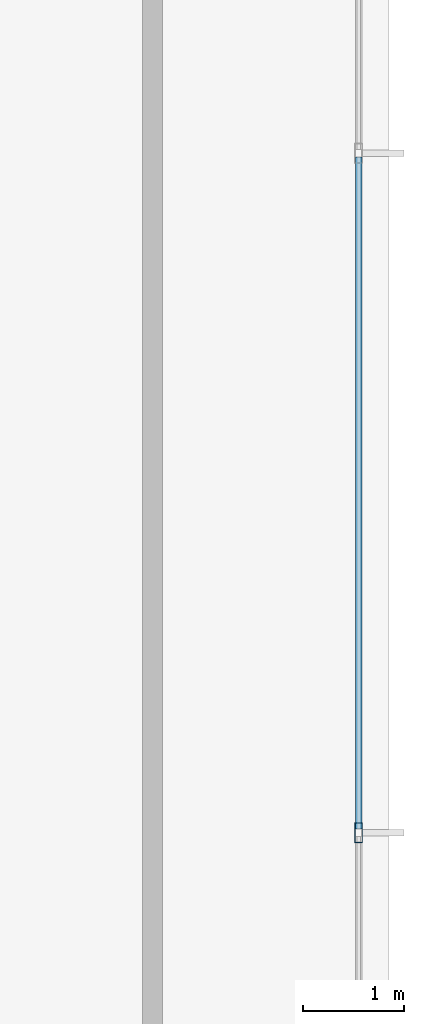
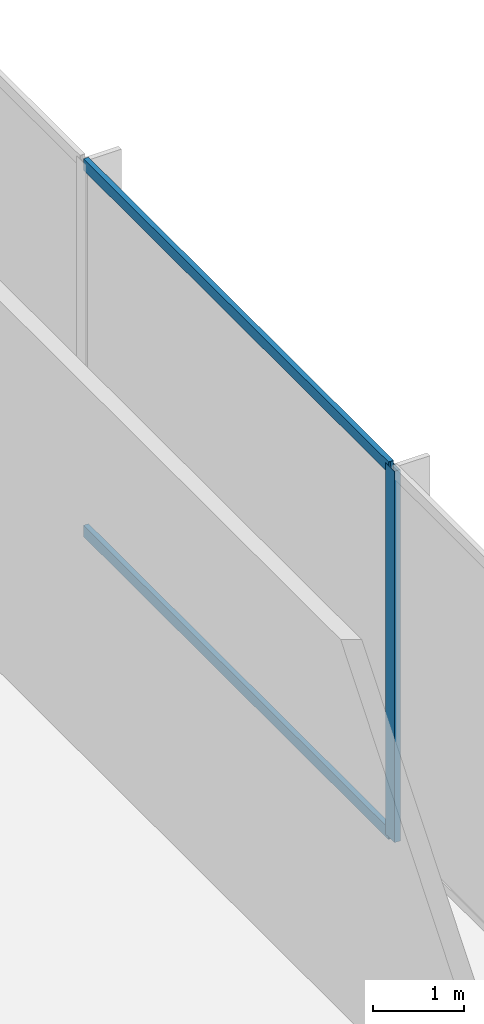
# One storey, part 19 of 43: 3 members, 1 element without a shape of its own.
"""IFC4 building model written with IfcOpenShell, lengths in metres."""

from ifc_helpers import new_model, si_unit, direction, frame, origin, origin_2d, place, context, subcontext, project, spatial, hollow_rectangle, extrude, material, layer, layer_set, material_profile, profile_set, type_object, element, aggregate, save


model = new_model("IFC4")

# Units and contexts
model_context = context("Model", 3, precision=1e-05, world=origin(), true_north=direction((0.0, 1.0)))
body_context = subcontext(model_context, "Body", "Model", "MODEL_VIEW")
ifc_project = project(units=[si_unit("LENGTHUNIT", "METRE"), si_unit("AREAUNIT", "SQUARE_METRE"), si_unit("VOLUMEUNIT", "CUBIC_METRE"), si_unit("PLANEANGLEUNIT", "RADIAN"), si_unit("MASSUNIT", "GRAM", prefix="KILO")], contexts=[model_context])

# Site, building, storey
site_placement = place(None, origin())
site = spatial("IfcSite", under=ifc_project, at=site_placement, CompositionType="ELEMENT")
building_placement = place(site_placement, origin())
building = spatial("IfcBuilding", under=site, at=building_placement, Name="Orvanel Arch Residences", CompositionType="ELEMENT")
storey_placement = place(building_placement, frame((0.0, 0.0, 18.39990234375)))
storey = spatial("IfcBuildingStorey", under=building, at=storey_placement, Name="L04", CompositionType="ELEMENT", Elevation=18.39990234375)

# Curtain wall, members
ifc_material = material(Name="Bronze-anodised aluminium AA6063-T6", Category="aluminium")
ifc_layer = layer(ifc_material, 0.199951171875)
ifc_layer_set = layer_set([ifc_layer], Name="Bronze-anodised aluminium AA6063-T6")
curtain_wall_type = type_object("IfcCurtainWallType", Name="CW1-POD-SYS", PredefinedType="NOTDEFINED", material=ifc_layer_set)
curtain_wall_placement = place(storey_placement, origin())
curtain_wall = element("IfcCurtainWall", 1, at=curtain_wall_placement, inside=storey, type_object=curtain_wall_type, Name="L04 CW1-POD-SYS Unitised Curtain Wall", PredefinedType="NOTDEFINED")
ifc_material_profile_1 = material_profile(ifc_material, hollow_rectangle(XDim=0.074951171875, YDim=0.199951171875, WallThickness=0.0048828125, at=origin_2d()), Name="ALU200x75x5")
ifc_profile_set_1 = profile_set([ifc_material_profile_1], Name="Bronze-anodised aluminium AA6063-T6")
member_type_1 = type_object("IfcMemberType", Name="MUL-200x75", PredefinedType="MULLION", material=ifc_profile_set_1)
member_1_placement = place(storey_placement, frame((64.449951171875, 20.74755859375, 0.0), z_axis=(0.0, 0.0, 1.0), x_axis=(-1.0, 0.0, 0.0)))
member_1 = element("IfcMember", 2, at=member_1_placement, type_object=member_type_1, Name="CW-S1 mullion 4", PredefinedType="MULLION", context=body_context, shape_type="SweptSolid", body=[
    extrude(hollow_rectangle(XDim=0.074951171875, YDim=0.199951171875, WallThickness=0.0048828125, at=origin_2d()), origin(), (0.0, 0.0, 1.0), 4.960205078125),
])
ifc_material_profile_2 = material_profile(ifc_material, hollow_rectangle(XDim=0.06494140625, YDim=0.14990234375, WallThickness=0.00390625, at=origin_2d()), Name="ALU150x65x4")
ifc_profile_set_2 = profile_set([ifc_material_profile_2], Name="Bronze-anodised aluminium AA6063-T6")
member_type_2 = type_object("IfcMemberType", Name="TRN-150x65", PredefinedType="USERDEFINED", material=ifc_profile_set_2)
member_2_placement = place(storey_placement, frame((64.449951171875, 20.784912109375, 0.03271484375), z_axis=(0.0, 1.0, 0.0), x_axis=(-1.0, 0.0, 0.0)))
member_2 = element("IfcMember", 3, at=member_2_placement, type_object=member_type_2, Name="CW-S1 transom 4.1", ObjectType="TRANSOM", PredefinedType="USERDEFINED", context=body_context, shape_type="SweptSolid", body=[
    extrude(hollow_rectangle(XDim=0.06494140625, YDim=0.14990234375, WallThickness=0.00390625, at=origin_2d()), origin(), (0.0, 0.0, 1.0), 6.677490234375),
])
member_3_placement = place(storey_placement, frame((64.449951171875, 20.784912109375, 4.927490234375), z_axis=(0.0, 1.0, 0.0), x_axis=(-1.0, 0.0, 0.0)))
member_3 = element("IfcMember", 4, at=member_3_placement, type_object=member_type_2, Name="CW-S1 transom 4.2", ObjectType="TRANSOM", PredefinedType="USERDEFINED", context=body_context, shape_type="SweptSolid", body=[
    extrude(hollow_rectangle(XDim=0.06494140625, YDim=0.14990234375, WallThickness=0.00390625, at=origin_2d()), origin(), (0.0, 0.0, 1.0), 6.677490234375),
])
aggregate(curtain_wall, [member_1, member_2, member_3])

save(model, "model.ifc")
